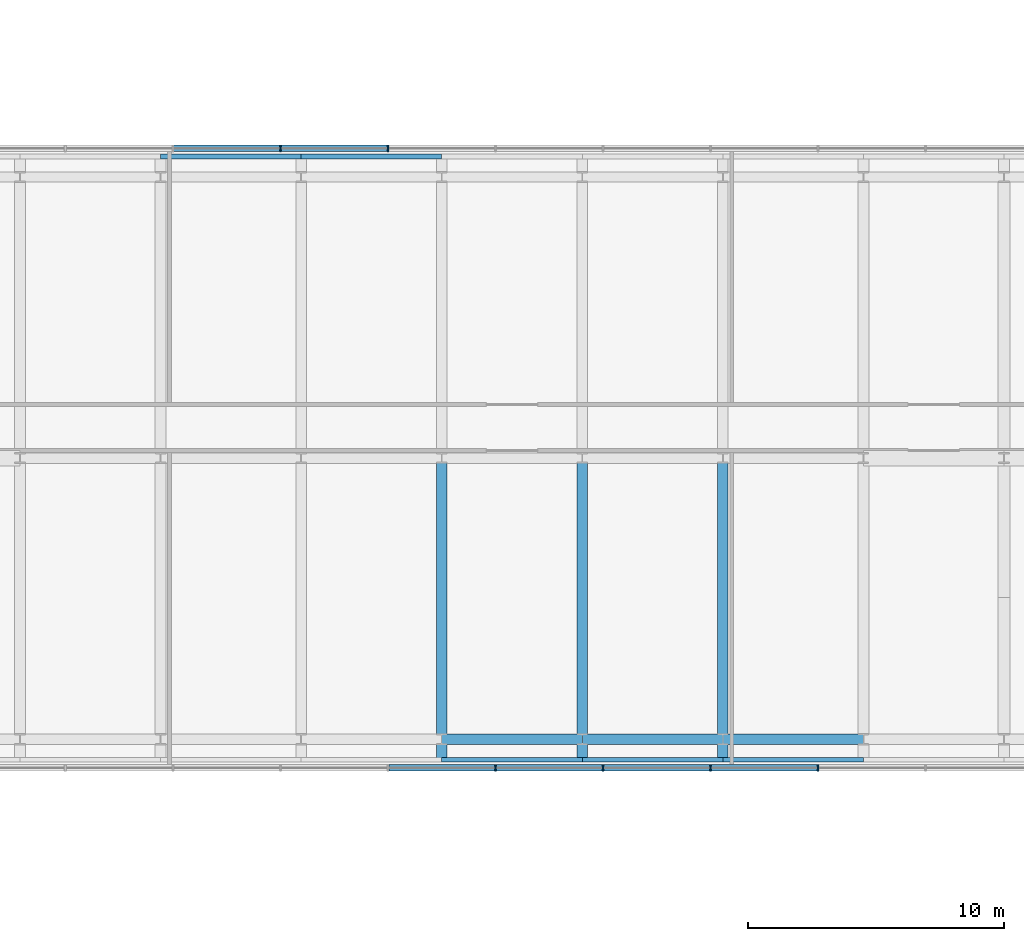
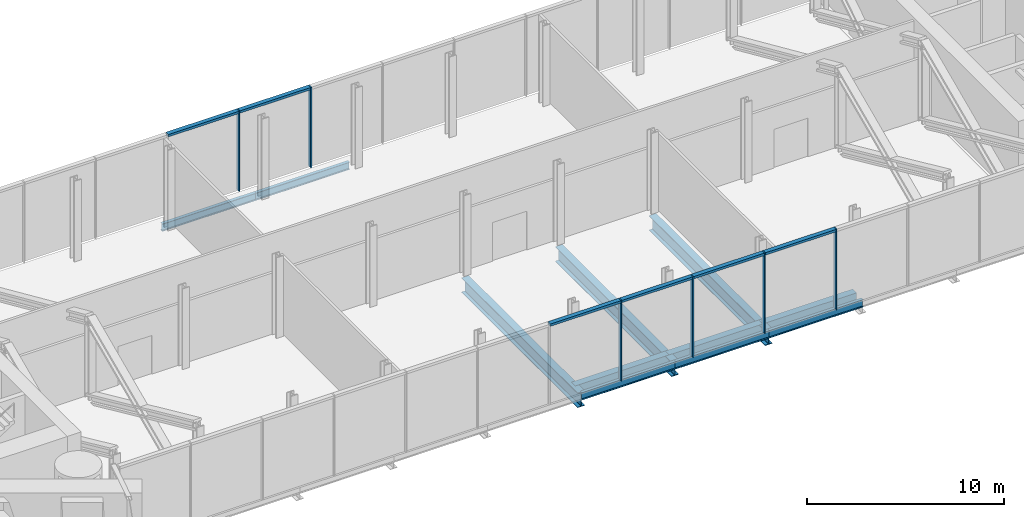
# One storey, part 7 of 19: 12 members, 11 beams, 2 elements without a shape of their own.
"""IFC4 building model written with IfcOpenShell, lengths in metres."""

from ifc_helpers import new_model, si_unit, direction, frame, origin, origin_2d, place, context, subcontext, project, spatial, rectangle, hollow_rectangle, i_section, extrude, material, material_profile, profile_set, type_object, element, aggregate, save


model = new_model("IFC4")

# Units and contexts
model_context = context("Model", 3, precision=1e-05, world=origin(), true_north=direction((0.0, 1.0)))
body_context = subcontext(model_context, "Body", "Model", "MODEL_VIEW")
ifc_project = project(units=[si_unit("LENGTHUNIT", "METRE"), si_unit("AREAUNIT", "SQUARE_METRE"), si_unit("VOLUMEUNIT", "CUBIC_METRE"), si_unit("PLANEANGLEUNIT", "RADIAN"), si_unit("MASSUNIT", "GRAM", prefix="KILO")], contexts=[model_context])

# Site, building, storey
site_placement = place(None, origin())
site = spatial("IfcSite", under=ifc_project, at=site_placement, CompositionType="ELEMENT")
building_placement = place(site_placement, origin())
building = spatial("IfcBuilding", under=site, at=building_placement, Name="Lancet Gate Hotel", CompositionType="ELEMENT")
storey_placement = place(building_placement, frame((0.0, 0.0, 263.300048828125)))
storey = spatial("IfcBuildingStorey", under=building, at=storey_placement, Name="L69", CompositionType="ELEMENT", Elevation=263.300048828125)

# Curtain wall, members
ifc_material_1 = material(Name="Aluminium curtain wall", Category="aluminium")
curtain_wall_type = type_object("IfcCurtainWallType", Name="Lantern crown glazing", PredefinedType="USERDEFINED", material=ifc_material_1)
curtain_wall_1_placement = place(storey_placement, origin())
curtain_wall_1 = element("IfcCurtainWall", 1, at=curtain_wall_1_placement, inside=storey, type_object=curtain_wall_type, Name="Bridge block L69 curtain wall S", ObjectType="LANTERN GLAZING", PredefinedType="USERDEFINED")
ifc_material_2 = material(Name="Aluminium mullion", Category="aluminium")
ifc_material_profile_1 = material_profile(ifc_material_2, rectangle(XDim=0.06494140625, YDim=0.25, at=origin_2d()), Name="MULLION 65x250")
ifc_profile_set_1 = profile_set([ifc_material_profile_1], Name="Aluminium mullion")
member_type_1 = type_object("IfcMemberType", Name="Aluminium mullion 65x250", PredefinedType="MULLION", material=ifc_profile_set_1)
member_1_placement = place(storey_placement, frame((2.103759765625, -12.1201171875, 0.0), z_axis=(0.0, 0.0, 1.0), x_axis=(1.0, 0.0, 0.0)))
member_1 = element("IfcMember", 2, at=member_1_placement, type_object=member_type_1, Name="Bridge block L69 curtain wall S mullion 8", PredefinedType="MULLION", context=body_context, shape_type="SweptSolid", body=[
    extrude(rectangle(XDim=0.06494140625, YDim=0.25, at=origin_2d()), origin(), (0.0, 0.0, 1.0), 5.0),
])
member_2_placement = place(storey_placement, frame((6.3115234375, -12.1201171875, 0.0), z_axis=(0.0, 0.0, 1.0), x_axis=(1.0, 0.0, 0.0)))
member_2 = element("IfcMember", 3, at=member_2_placement, type_object=member_type_1, Name="Bridge block L69 curtain wall S mullion 9", PredefinedType="MULLION", context=body_context, shape_type="SweptSolid", body=[
    extrude(rectangle(XDim=0.06494140625, YDim=0.25, at=origin_2d()), origin(), (0.0, 0.0, 1.0), 5.0),
])
member_3_placement = place(storey_placement, frame((10.519287109375, -12.1201171875, 0.0), z_axis=(0.0, 0.0, 1.0), x_axis=(1.0, 0.0, 0.0)))
member_3 = element("IfcMember", 4, at=member_3_placement, type_object=member_type_1, Name="Bridge block L69 curtain wall S mullion 10", PredefinedType="MULLION", context=body_context, shape_type="SweptSolid", body=[
    extrude(rectangle(XDim=0.06494140625, YDim=0.25, at=origin_2d()), origin(), (0.0, 0.0, 1.0), 5.0),
])
member_4_placement = place(storey_placement, frame((14.726806640625, -12.1201171875, 0.0), z_axis=(0.0, 0.0, 1.0), x_axis=(1.0, 0.0, 0.0)))
member_4 = element("IfcMember", 5, at=member_4_placement, type_object=member_type_1, Name="Bridge block L69 curtain wall S mullion 11", PredefinedType="MULLION", context=body_context, shape_type="SweptSolid", body=[
    extrude(rectangle(XDim=0.06494140625, YDim=0.25, at=origin_2d()), origin(), (0.0, 0.0, 1.0), 5.0),
])

curtain_wall_2_placement = place(storey_placement, origin())
curtain_wall_2 = element("IfcCurtainWall", 6, at=curtain_wall_2_placement, inside=storey, type_object=curtain_wall_type, Name="Bridge block L69 curtain wall N", ObjectType="LANTERN GLAZING", PredefinedType="USERDEFINED")
member_5_placement = place(storey_placement, frame((-2.103759765625, 12.1201171875, 0.0), z_axis=(0.0, 0.0, 1.0), x_axis=(-1.0, 0.0, 0.0)))
member_5 = element("IfcMember", 7, at=member_5_placement, type_object=member_type_1, Name="Bridge block L69 curtain wall N mullion 8", PredefinedType="MULLION", context=body_context, shape_type="SweptSolid", body=[
    extrude(rectangle(XDim=0.06494140625, YDim=0.25, at=origin_2d()), origin(), (0.0, 0.0, 1.0), 5.0),
])
member_6_placement = place(storey_placement, frame((-6.3115234375, 12.1201171875, 0.0), z_axis=(0.0, 0.0, 1.0), x_axis=(-1.0, 0.0, 0.0)))
member_6 = element("IfcMember", 8, at=member_6_placement, type_object=member_type_1, Name="Bridge block L69 curtain wall N mullion 9", PredefinedType="MULLION", context=body_context, shape_type="SweptSolid", body=[
    extrude(rectangle(XDim=0.06494140625, YDim=0.25, at=origin_2d()), origin(), (0.0, 0.0, 1.0), 5.0),
])

# Member
ifc_material_3 = material(Name="Aluminium transom", Category="aluminium")
ifc_material_profile_2 = material_profile(ifc_material_3, rectangle(XDim=0.25, YDim=0.14990234375, at=origin_2d()), Name="TRANSOM 250x150")
ifc_profile_set_2 = profile_set([ifc_material_profile_2], Name="Aluminium transom")
member_type_2 = type_object("IfcMemberType", Name="Aluminium transom 250x150", PredefinedType="USERDEFINED", material=ifc_profile_set_2)
member_7_placement = place(storey_placement, frame((-2.0712890625, -12.1201171875, 4.925048828125), z_axis=(1.0, 0.0, 0.0), x_axis=(0.0, 1.0, 0.0)))
member_7 = element("IfcMember", 9, at=member_7_placement, type_object=member_type_2, Name="Bridge block L69 curtain wall S transom 7", ObjectType="TRANSOM", PredefinedType="USERDEFINED", context=body_context, shape_type="SweptSolid", body=[
    extrude(rectangle(XDim=0.25, YDim=0.14990234375, at=origin_2d()), origin(), (0.0, 0.0, 1.0), 4.142578125),
])

member_8_placement = place(storey_placement, frame((2.13623046875, -12.1201171875, 4.925048828125), z_axis=(1.0, 0.0, 0.0), x_axis=(0.0, 1.0, 0.0)))
member_8 = element("IfcMember", 10, at=member_8_placement, type_object=member_type_2, Name="Bridge block L69 curtain wall S transom 8", ObjectType="TRANSOM", PredefinedType="USERDEFINED", context=body_context, shape_type="SweptSolid", body=[
    extrude(rectangle(XDim=0.25, YDim=0.14990234375, at=origin_2d()), origin(), (0.0, 0.0, 1.0), 4.142822265625),
])

member_9_placement = place(storey_placement, frame((6.343994140625, -12.1201171875, 4.925048828125), z_axis=(1.0, 0.0, 0.0), x_axis=(0.0, 1.0, 0.0)))
member_9 = element("IfcMember", 11, at=member_9_placement, type_object=member_type_2, Name="Bridge block L69 curtain wall S transom 9", ObjectType="TRANSOM", PredefinedType="USERDEFINED", context=body_context, shape_type="SweptSolid", body=[
    extrude(rectangle(XDim=0.25, YDim=0.14990234375, at=origin_2d()), origin(), (0.0, 0.0, 1.0), 4.142822265625),
])

member_10_placement = place(storey_placement, frame((10.5517578125, -12.1201171875, 4.925048828125), z_axis=(1.0, 0.0, 0.0), x_axis=(0.0, 1.0, 0.0)))
member_10 = element("IfcMember", 12, at=member_10_placement, type_object=member_type_2, Name="Bridge block L69 curtain wall S transom 10", ObjectType="TRANSOM", PredefinedType="USERDEFINED", context=body_context, shape_type="SweptSolid", body=[
    extrude(rectangle(XDim=0.25, YDim=0.14990234375, at=origin_2d()), origin(), (0.0, 0.0, 1.0), 4.142578125),
])

aggregate(curtain_wall_1, [member_1, member_2, member_3, member_4, member_7, member_8, member_9, member_10])

member_11_placement = place(storey_placement, frame((-2.13623046875, 12.1201171875, 4.925048828125), z_axis=(-1.0, 0.0, 0.0), x_axis=(0.0, -1.0, 0.0)))
member_11 = element("IfcMember", 13, at=member_11_placement, type_object=member_type_2, Name="Bridge block L69 curtain wall N transom 8", ObjectType="TRANSOM", PredefinedType="USERDEFINED", context=body_context, shape_type="SweptSolid", body=[
    extrude(rectangle(XDim=0.25, YDim=0.14990234375, at=origin_2d()), origin(), (0.0, 0.0, 1.0), 4.142822265625),
])

member_12_placement = place(storey_placement, frame((-6.343994140625, 12.1201171875, 4.925048828125), z_axis=(-1.0, 0.0, 0.0), x_axis=(0.0, -1.0, 0.0)))
member_12 = element("IfcMember", 14, at=member_12_placement, type_object=member_type_2, Name="Bridge block L69 curtain wall N transom 9", ObjectType="TRANSOM", PredefinedType="USERDEFINED", context=body_context, shape_type="SweptSolid", body=[
    extrude(rectangle(XDim=0.25, YDim=0.14990234375, at=origin_2d()), origin(), (0.0, 0.0, 1.0), 4.142822265625),
])

aggregate(curtain_wall_2, [member_5, member_6, member_11, member_12])

# Beams
ifc_material_4 = material(Name="Steel S355", Category="steel")
ifc_material_profile_3 = material_profile(ifc_material_4, i_section(OverallWidth=0.19140625, OverallDepth=0.4599609375, WebThickness=0.010009765625, FlangeThickness=0.01611328125, FilletRadius=0.01025390625, at=origin_2d()), Name="UKB 457x191x82")
ifc_profile_set_3 = profile_set([ifc_material_profile_3], Name="Steel S355")
beam_type_1 = type_object("IfcBeamType", Name="Block edge beam UKB 457x191x82", PredefinedType="SPANDREL", material=ifc_profile_set_3)
for number, where, z_axis, x_axis, name in (
    (15, (-11.0, 11.800048828125, -0.429931640625), (1.0, 0.0, 0.0), (0.0, 1.0, 0.0), "Block edge beam N 3-4 L69"),
    (16, (-5.5, 11.800048828125, -0.429931640625), (1.0, 0.0, 0.0), (0.0, 1.0, 0.0), "Block edge beam N 4-5 L69"),
    (17, (0.0, -11.800048828125, -0.429931640625), (1.0, 0.0, 0.0), (0.0, 1.0, 0.0), "Block edge beam S 5-6 L69"),
    (18, (5.5, -11.800048828125, -0.429931640625), (1.0, 0.0, 0.0), (0.0, 1.0, 0.0), "Block edge beam S 6-7 L69"),
    (19, (11.0, -11.800048828125, -0.429931640625), (1.0, 0.0, 0.0), (0.0, 1.0, 0.0), "Block edge beam S 7-8 L69"),
):
    element("IfcBeam", number, at=place(storey_placement, frame(where, z_axis=z_axis, x_axis=x_axis)), inside=storey, type_object=beam_type_1, Name=name, PredefinedType="SPANDREL", context=body_context, shape_type="SweptSolid", body=[
        extrude(i_section(OverallWidth=0.19140625, OverallDepth=0.4599609375, WebThickness=0.010009765625, FlangeThickness=0.01611328125, FilletRadius=0.01025390625, at=origin_2d()), origin(), (0.0, 0.0, 1.0), 5.5),
    ])
ifc_material_5 = material(Name="Steel S355", Category="steel")
ifc_material_profile_4 = material_profile(ifc_material_5, i_section(OverallWidth=0.42041015625, OverallDepth=0.9208984375, WebThickness=0.021484375, FlangeThickness=0.03662109375, FilletRadius=0.024169921875, at=origin_2d()), Name="UKB 914x419x388")
ifc_profile_set_4 = profile_set([ifc_material_profile_4], Name="Steel S355")
beam_type_2 = type_object("IfcBeamType", Name="Block plant floor beam UKB 914x419x388", PredefinedType="JOIST", material=ifc_profile_set_4)
for number, where, z_axis, x_axis, name in (
    (20, (0.0, -11.800048828125, -0.66064453125), (0.0, 1.0, 0.0), (-1.0, 0.0, 0.0), "Block beam x5 S L69"),
    (21, (5.5, -11.800048828125, -0.66064453125), (0.0, 1.0, 0.0), (-1.0, 0.0, 0.0), "Block beam x6 S L69"),
    (22, (11.0, -11.800048828125, -0.66064453125), (0.0, 1.0, 0.0), (-1.0, 0.0, 0.0), "Block beam x7 S L69"),
):
    element("IfcBeam", number, at=place(storey_placement, frame(where, z_axis=z_axis, x_axis=x_axis)), inside=storey, type_object=beam_type_2, Name=name, PredefinedType="JOIST", context=body_context, shape_type="SweptSolid", body=[
        extrude(i_section(OverallWidth=0.42041015625, OverallDepth=0.9208984375, WebThickness=0.021484375, FlangeThickness=0.03662109375, FilletRadius=0.024169921875, at=origin_2d()), origin(), (0.0, 0.0, 1.0), 11.800048828125),
    ])
ifc_material_6 = material(Name="Steel S355", Category="steel")
ifc_material_profile_5 = material_profile(ifc_material_6, hollow_rectangle(XDim=0.39990234375, YDim=0.89990234375, WallThickness=0.0400390625, at=origin_2d()), Name="BOX 900x400x40")
ifc_profile_set_5 = profile_set([ifc_material_profile_5], Name="Steel S355")
beam_type_3 = type_object("IfcBeamType", Name="Block primary beam BOX 900x400x40", PredefinedType="BEAM", material=ifc_profile_set_5)
for number, where, z_axis, x_axis, name in (
    (23, (0.0, -11.0, -0.650146484375), (1.0, 0.0, 0.0), (0.0, 1.0, 0.0), "Block primary beam S 6 L69"),
    (24, (5.5, -11.0, -0.650146484375), (1.0, 0.0, 0.0), (0.0, 1.0, 0.0), "Block primary beam S 7 L69"),
    (25, (11.0, -11.0, -0.650146484375), (1.0, 0.0, 0.0), (0.0, 1.0, 0.0), "Block primary beam S 8 L69"),
):
    element("IfcBeam", number, at=place(storey_placement, frame(where, z_axis=z_axis, x_axis=x_axis)), inside=storey, type_object=beam_type_3, Name=name, PredefinedType="BEAM", context=body_context, shape_type="SweptSolid", body=[
        extrude(hollow_rectangle(XDim=0.39990234375, YDim=0.89990234375, WallThickness=0.0400390625, at=origin_2d()), origin(), (0.0, 0.0, 1.0), 5.5),
    ])

save(model, "model.ifc")
